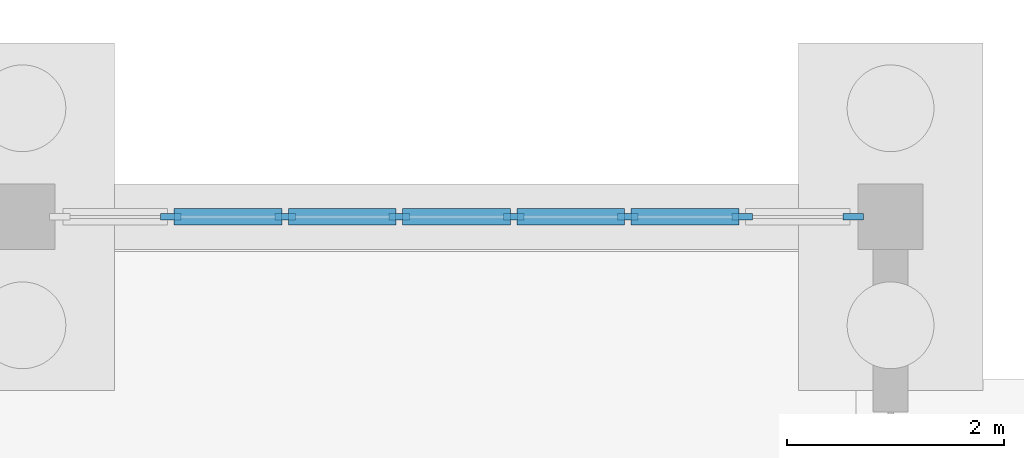
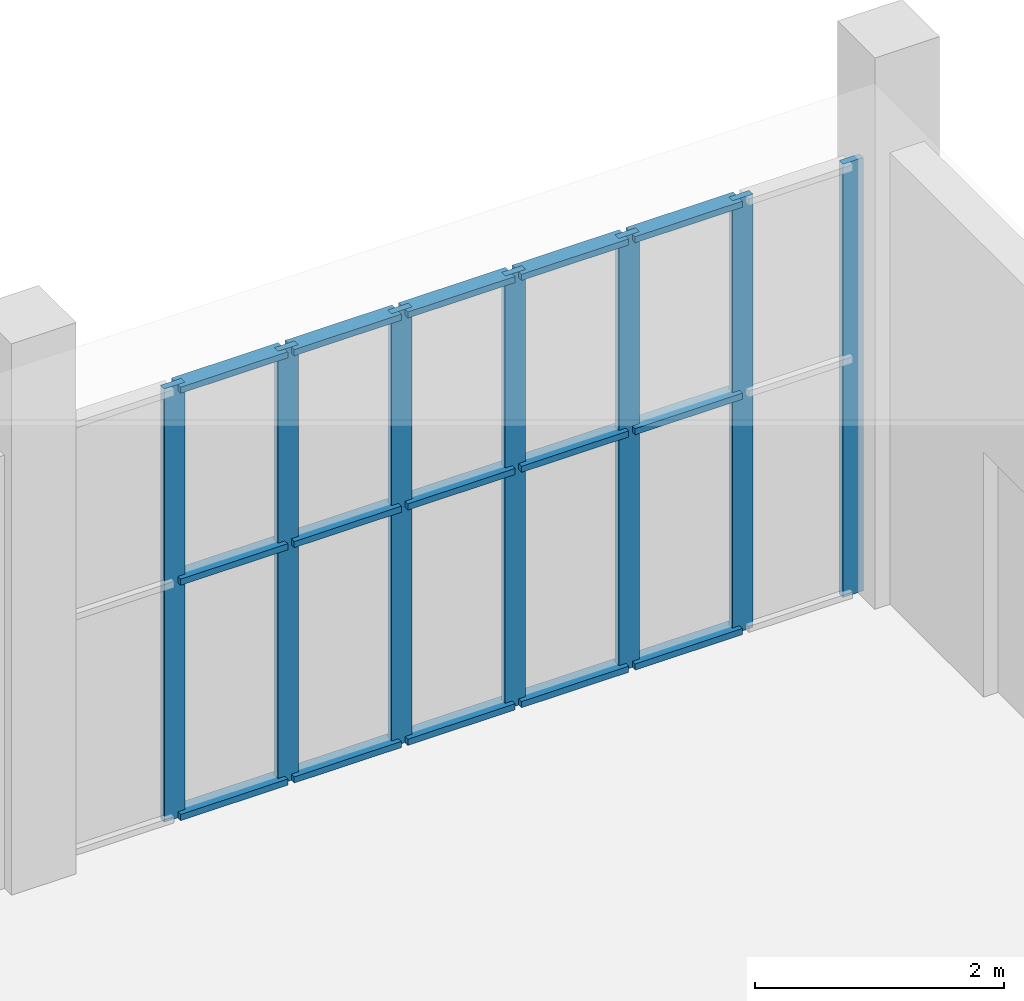
# One storey, part 20 of 69: 22 members, 1 element without a shape of its own.
"""IFC4 building model written with IfcOpenShell, lengths in metres."""

import ifcopenshell
import ifcopenshell.guid

model = None  # the IFC model being written
_history = None  # IfcOwnerHistory: only IFC2X3 demands one
_inside = {}  # id of a spatial element -> (the spatial element, [elements in it])
_under = {}  # id of a project, library or spatial element -> (it, [spatial elements below it])
_declared = {}  # id of a project -> (the project, [libraries it declares])
_typed = {}  # id of a type object -> (the type object, [elements of that type])
_made_of = {}  # id of a material, layer set ... -> (it, [elements and type objects made of it])


def new_model(schema):
    """Start an empty IFC model of exactly this schema.

    Asked for "IFC4X3", IfcOpenShell would pick the latest addendum, in which some entities
    have other attributes; the version numbers below select the first issue.
    IFC2X3 requires an IfcOwnerHistory on every rooted entity: one is made here for all.
    """
    global model, _history
    if schema == "IFC4X3":
        model = ifcopenshell.file(schema_version=(4, 3, 0, 0))
    else:
        model = ifcopenshell.file(schema=schema)
    _inside.clear()
    _under.clear()
    _declared.clear()
    _typed.clear()
    _made_of.clear()
    _history = None
    if model.schema == "IFC2X3":
        org = make("IfcOrganization", Name="unknown")
        user = make(
            "IfcPersonAndOrganization",
            ThePerson=make("IfcPerson", FamilyName="unknown"),
            TheOrganization=org,
        )
        app = make(
            "IfcApplication",
            ApplicationDeveloper=org,
            Version="unknown",
            ApplicationFullName="unknown",
            ApplicationIdentifier="unknown",
        )
        _history = make(
            "IfcOwnerHistory",
            OwningUser=user,
            OwningApplication=app,
            ChangeAction="ADDED",
            CreationDate=0,
        )
    return model


def make(cls, **values):
    """One entity of the class cls with the attributes given. An attribute that is None is left unset."""
    return model.create_entity(
        cls, **{name: value for name, value in values.items() if value is not None}
    )


def rooted(cls, **values):
    """An entity with a GlobalId (a new one), such as an element, a storey or a relation."""
    return make(cls, GlobalId=ifcopenshell.guid.new(), OwnerHistory=_history, **values)


def si_unit(unit_type, name, prefix=None):
    """IfcSIUnit, for example si_unit("LENGTHUNIT", "METRE", prefix="MILLI")."""
    return make("IfcSIUnit", UnitType=unit_type, Prefix=prefix, Name=name)


def assignment(units):
    """IfcUnitAssignment: the units of a project."""
    return None if units is None else make("IfcUnitAssignment", Units=units)


def point(xyz):
    """IfcCartesianPoint."""
    return None if xyz is None else make("IfcCartesianPoint", Coordinates=xyz)


def direction(xyz):
    """IfcDirection."""
    return None if xyz is None else make("IfcDirection", DirectionRatios=xyz)


def frame(location, z_axis=None, x_axis=None):
    """IfcAxis2Placement3D, a coordinate frame: its origin and axes. An axis left out is left unset."""
    return make(
        "IfcAxis2Placement3D",
        Location=point(location),
        Axis=direction(z_axis),
        RefDirection=direction(x_axis),
    )


def frame_2d(location, x_axis=None):
    """IfcAxis2Placement2D, a coordinate frame in the plane: its origin and x axis."""
    return make(
        "IfcAxis2Placement2D", Location=point(location), RefDirection=direction(x_axis)
    )


def origin():
    """The frame at (0, 0, 0) with its axes left unset."""
    return frame((0.0, 0.0, 0.0))


def origin_2d():
    """The frame at (0, 0) in the plane with its x axis left unset."""
    return frame_2d((0.0, 0.0))


def place(relative_to, where):
    """IfcLocalPlacement: puts the frame where relative to a parent placement (None: the world)."""
    return make(
        "IfcLocalPlacement", PlacementRelTo=relative_to, RelativePlacement=where
    )


def context(
    kind, dimensions, precision=None, world=None, true_north=None, identifier=None
):
    """IfcGeometricRepresentationContext, for example the 3D "Model" context."""
    return make(
        "IfcGeometricRepresentationContext",
        ContextIdentifier=identifier,
        ContextType=kind,
        CoordinateSpaceDimension=dimensions,
        Precision=precision,
        WorldCoordinateSystem=world,
        TrueNorth=true_north,
    )


def subcontext(parent, identifier, kind, view, scale=None):
    """IfcGeometricRepresentationSubContext, for example "Body" below "Model"."""
    return make(
        "IfcGeometricRepresentationSubContext",
        ContextIdentifier=identifier,
        ContextType=kind,
        ParentContext=parent,
        TargetScale=scale,
        TargetView=view,
    )


def project(units=None, contexts=None):
    """IfcProject with its units and contexts."""
    return rooted(
        "IfcProject",
        Name="project",
        RepresentationContexts=contexts,
        UnitsInContext=assignment(units),
    )


def spatial(cls, under=None, at=None, **own):
    """A site, building, storey or space (cls), placed at a placement, below another one or the project."""
    s = rooted(cls, ObjectPlacement=at, **own)
    if under is not None:
        _under.setdefault(under.id(), (under, []))[1].append(s)
    return s


def profile(cls, at=None, kind="AREA", **sizes):
    """A parametric profile (cls). Its sizes go by their IFC names, for example OverallWidth=200.0."""
    return make(cls, ProfileType=kind, Position=at, **sizes)


def rectangle(**sizes):
    """IfcRectangleProfileDef."""
    return profile("IfcRectangleProfileDef", **sizes)


def extrude(swept, where, along, depth):
    """IfcExtrudedAreaSolid: the profile swept, set in the frame where, extruded along a direction by depth."""
    return make(
        "IfcExtrudedAreaSolid",
        SweptArea=swept,
        Position=where,
        ExtrudedDirection=direction(along),
        Depth=depth,
    )


def shape(context_of_items, identifier, shape_type, items):
    """IfcShapeRepresentation: the items that make up one representation, for example the "Body"."""
    return make(
        "IfcShapeRepresentation",
        ContextOfItems=context_of_items,
        RepresentationIdentifier=identifier,
        RepresentationType=shape_type,
        Items=items,
    )


def material(Name=None, Category=None):
    """IfcMaterial."""
    return make("IfcMaterial", Name=Name, Category=Category)


def layer(
    of_material, thickness, ventilated=None, Name=None, Category=None, Priority=None
):
    """IfcMaterialLayer: one layer of a wall or slab, of a material (None: an air gap)."""
    return make(
        "IfcMaterialLayer",
        Material=of_material,
        LayerThickness=thickness,
        IsVentilated=ventilated,
        Name=Name,
        Category=Category,
        Priority=Priority,
    )


def layer_set(layers, Name=None):
    """IfcMaterialLayerSet."""
    return make("IfcMaterialLayerSet", MaterialLayers=layers, LayerSetName=Name)


def material_profile(
    of_material, cross_section, Name=None, Category=None, Priority=None
):
    """IfcMaterialProfile: a cross section and its material."""
    return make(
        "IfcMaterialProfile",
        Name=Name,
        Material=of_material,
        Profile=cross_section,
        Priority=Priority,
        Category=Category,
    )


def profile_set(profiles, Name=None, composite=None):
    """IfcMaterialProfileSet."""
    return make(
        "IfcMaterialProfileSet",
        Name=Name,
        MaterialProfiles=profiles,
        CompositeProfile=composite,
    )


def made_of(thing, what):
    """Note that an element or type object is made of a material, layer set ...; save() writes the relation."""
    if what is not None:
        _made_of.setdefault(what.id(), (what, []))[1].append(thing)
    return thing


def type_object(cls, material=None, **own):
    """A type object (cls), such as IfcWallType, which elements share."""
    return made_of(rooted(cls, **own), material)


def element(
    cls,
    number,
    at=None,
    inside=None,
    cuts=None,
    type_object=None,
    material=None,
    context=None,
    identifier="Body",
    shape_type=None,
    held_by="IfcProductDefinitionShape",
    body=None,
    shapes=None,
    **own,
):
    """One element of the class cls, such as IfcWall. Its Tag is "e" and its number.

    at: its placement. inside: the storey or other place that contains it. cuts: it is an
    opening in that element (IfcRelVoidsElement). A single representation is given by context,
    identifier, shape_type and body (its items); several are given by shapes. held_by: the class
    of the entity that holds the representations. save() writes the other relations.
    """
    e = rooted(cls, Tag="e%d" % number, ObjectPlacement=at, **own)
    if body is not None:
        shapes = [shape(context, identifier, shape_type, body)]
    if shapes is not None:
        e.Representation = make(held_by, Representations=shapes)
    if inside is not None:
        _inside.setdefault(inside.id(), (inside, []))[1].append(e)
    if cuts is not None:
        rooted(
            "IfcRelVoidsElement", RelatingBuildingElement=cuts, RelatedOpeningElement=e
        )
    if type_object is not None:
        _typed.setdefault(type_object.id(), (type_object, []))[1].append(e)
    return made_of(e, material)


def aggregate(whole, parts):
    """IfcRelAggregates: a whole, such as a stair, and the parts it consists of."""
    return rooted("IfcRelAggregates", RelatingObject=whole, RelatedObjects=parts)


def save(model, path):
    """Write the relations noted so far, then the file.

    IfcRelAggregates (storeys below a building ...), IfcRelContainedInSpatialStructure (elements
    in a storey), IfcRelDefinesByType, IfcRelAssociatesMaterial and IfcRelDeclares: one each for
    every whole, place, type object, material and project.
    """
    for whole, parts in _under.values():
        aggregate(whole, parts)
    for where, things in _inside.values():
        rooted(
            "IfcRelContainedInSpatialStructure",
            RelatedElements=things,
            RelatingStructure=where,
        )
    for kind, things in _typed.values():
        rooted("IfcRelDefinesByType", RelatedObjects=things, RelatingType=kind)
    for what, things in _made_of.values():
        rooted("IfcRelAssociatesMaterial", RelatedObjects=things, RelatingMaterial=what)
    for by, libraries in _declared.values():
        rooted("IfcRelDeclares", RelatingContext=by, RelatedDefinitions=libraries)
    model.write(path)


model = new_model("IFC4")

# Units and contexts
model_context = context("Model", 3, precision=1e-05, world=origin(), true_north=direction((0.0, 1.0)))
body_context = subcontext(model_context, "Body", "Model", "MODEL_VIEW")
ifc_project = project(units=[si_unit("LENGTHUNIT", "METRE"), si_unit("AREAUNIT", "SQUARE_METRE"), si_unit("VOLUMEUNIT", "CUBIC_METRE"), si_unit("PLANEANGLEUNIT", "RADIAN"), si_unit("MASSUNIT", "GRAM", prefix="KILO")], contexts=[model_context])

# Site, building, storey
site_placement = place(None, origin())
site = spatial("IfcSite", under=ifc_project, at=site_placement, CompositionType="ELEMENT")
building_placement = place(site_placement, origin())
building = spatial("IfcBuilding", under=site, at=building_placement, Name="Solvane Community Centre", CompositionType="ELEMENT")
storey_placement = place(building_placement, origin())
storey = spatial("IfcBuildingStorey", under=building, at=storey_placement, Name="L00", CompositionType="ELEMENT", Elevation=0.0)

# Curtain wall, members
ifc_material = material(Name="Anodised bronze aluminium AW-6063 T6", Category="aluminium")
ifc_layer = layer(ifc_material, 0.18994140625)
ifc_layer_set = layer_set([ifc_layer], Name="Anodised bronze aluminium AW-6063 T6")
curtain_wall_type = type_object("IfcCurtainWallType", Name="Boulevard Bronze Vision Curtain Wall [74x42dm]", PredefinedType="NOTDEFINED", material=ifc_layer_set)
curtain_wall_placement = place(storey_placement, origin())
curtain_wall = element("IfcCurtainWall", 1, at=curtain_wall_placement, inside=storey, type_object=curtain_wall_type, Name="Curtain Wall CW-L00-1323_600-030", PredefinedType="NOTDEFINED")
ifc_material_profile_1 = material_profile(ifc_material, rectangle(XDim=0.06005859375, YDim=0.18994140625, at=origin_2d()), Name="CW-M 60x190")
ifc_profile_set_1 = profile_set([ifc_material_profile_1], Name="Anodised bronze aluminium AW-6063 T6")
member_type_1 = type_object("IfcMemberType", Name="Boulevard Mullion 60x190", PredefinedType="MULLION", material=ifc_profile_set_1)
member_1_placement = place(storey_placement, frame((133.367919921875, 60.0, 0.0), z_axis=(0.0, 0.0, 1.0), x_axis=(0.0, 1.0, 0.0)))
member_1 = element("IfcMember", 2, at=member_1_placement, type_object=member_type_1, Name="CW02-74x42 mullion 2", PredefinedType="MULLION", context=body_context, shape_type="SweptSolid", body=[
    extrude(rectangle(XDim=0.06005859375, YDim=0.18994140625, at=origin_2d()), origin(), (0.0, 0.0, 1.0), 4.2451171875),
])
member_2_placement = place(storey_placement, frame((134.420654296875, 60.0, 0.0), z_axis=(0.0, 0.0, 1.0), x_axis=(0.0, 1.0, 0.0)))
member_2 = element("IfcMember", 3, at=member_2_placement, type_object=member_type_1, Name="CW02-74x42 mullion 3", PredefinedType="MULLION", context=body_context, shape_type="SweptSolid", body=[
    extrude(rectangle(XDim=0.06005859375, YDim=0.18994140625, at=origin_2d()), origin(), (0.0, 0.0, 1.0), 4.2451171875),
])
member_3_placement = place(storey_placement, frame((135.4736328125, 60.0, 0.0), z_axis=(0.0, 0.0, 1.0), x_axis=(0.0, 1.0, 0.0)))
member_3 = element("IfcMember", 4, at=member_3_placement, type_object=member_type_1, Name="CW02-74x42 mullion 4", PredefinedType="MULLION", context=body_context, shape_type="SweptSolid", body=[
    extrude(rectangle(XDim=0.06005859375, YDim=0.18994140625, at=origin_2d()), origin(), (0.0, 0.0, 1.0), 4.2451171875),
])
member_4_placement = place(storey_placement, frame((136.5263671875, 60.0, 0.0), z_axis=(0.0, 0.0, 1.0), x_axis=(0.0, 1.0, 0.0)))
member_4 = element("IfcMember", 5, at=member_4_placement, type_object=member_type_1, Name="CW02-74x42 mullion 5", PredefinedType="MULLION", context=body_context, shape_type="SweptSolid", body=[
    extrude(rectangle(XDim=0.06005859375, YDim=0.18994140625, at=origin_2d()), origin(), (0.0, 0.0, 1.0), 4.2451171875),
])
member_5_placement = place(storey_placement, frame((137.579345703125, 60.0, 0.0), z_axis=(0.0, 0.0, 1.0), x_axis=(0.0, 1.0, 0.0)))
member_5 = element("IfcMember", 6, at=member_5_placement, type_object=member_type_1, Name="CW02-74x42 mullion 6", PredefinedType="MULLION", context=body_context, shape_type="SweptSolid", body=[
    extrude(rectangle(XDim=0.06005859375, YDim=0.18994140625, at=origin_2d()), origin(), (0.0, 0.0, 1.0), 4.2451171875),
])
member_6_placement = place(storey_placement, frame((138.632080078125, 60.0, 0.0), z_axis=(0.0, 0.0, 1.0), x_axis=(0.0, 1.0, 0.0)))
member_6 = element("IfcMember", 7, at=member_6_placement, type_object=member_type_1, Name="CW02-74x42 mullion 7", PredefinedType="MULLION", context=body_context, shape_type="SweptSolid", body=[
    extrude(rectangle(XDim=0.06005859375, YDim=0.18994140625, at=origin_2d()), origin(), (0.0, 0.0, 1.0), 4.2451171875),
])
member_7_placement = place(storey_placement, frame((139.655029296875, 60.0, 0.0), z_axis=(0.0, 0.0, 1.0), x_axis=(0.0, 1.0, 0.0)))
member_7 = element("IfcMember", 8, at=member_7_placement, type_object=member_type_1, Name="CW02-74x42 mullion 8", PredefinedType="MULLION", context=body_context, shape_type="SweptSolid", body=[
    extrude(rectangle(XDim=0.06005859375, YDim=0.18994140625, at=origin_2d()), origin(), (0.0, 0.0, 1.0), 4.2451171875),
])
ifc_material_profile_2 = material_profile(ifc_material, rectangle(XDim=0.14990234375, YDim=0.06005859375, at=origin_2d()), Name="CW-T 60x150")
ifc_profile_set_2 = profile_set([ifc_material_profile_2], Name="Anodised bronze aluminium AW-6063 T6")
member_type_2 = type_object("IfcMemberType", Name="Boulevard Transom 60x150", PredefinedType="USERDEFINED", material=ifc_profile_set_2)
member_8_placement = place(storey_placement, frame((133.39794921875, 60.0, 0.030029296875), z_axis=(1.0, 0.0, 0.0), x_axis=(0.0, 1.0, 0.0)))
member_8 = element("IfcMember", 9, at=member_8_placement, type_object=member_type_2, Name="CW02-74x42 transom 2.1", ObjectType="TRANSOM", PredefinedType="USERDEFINED", context=body_context, shape_type="SweptSolid", body=[
    extrude(rectangle(XDim=0.14990234375, YDim=0.06005859375, at=origin_2d()), origin(), (0.0, 0.0, 1.0), 0.99267578125),
])
member_9_placement = place(storey_placement, frame((133.39794921875, 60.0, 2.3349609375), z_axis=(1.0, 0.0, 0.0), x_axis=(0.0, 1.0, 0.0)))
member_9 = element("IfcMember", 10, at=member_9_placement, type_object=member_type_2, Name="CW02-74x42 transom 2.2", ObjectType="TRANSOM", PredefinedType="USERDEFINED", context=body_context, shape_type="SweptSolid", body=[
    extrude(rectangle(XDim=0.14990234375, YDim=0.06005859375, at=origin_2d()), origin(), (0.0, 0.0, 1.0), 0.99267578125),
])
member_10_placement = place(storey_placement, frame((133.39794921875, 60.0, 4.215087890625), z_axis=(1.0, 0.0, 0.0), x_axis=(0.0, 1.0, 0.0)))
member_10 = element("IfcMember", 11, at=member_10_placement, type_object=member_type_2, Name="CW02-74x42 transom 2.3", ObjectType="TRANSOM", PredefinedType="USERDEFINED", context=body_context, shape_type="SweptSolid", body=[
    extrude(rectangle(XDim=0.14990234375, YDim=0.06005859375, at=origin_2d()), origin(), (0.0, 0.0, 1.0), 0.99267578125),
])
member_11_placement = place(storey_placement, frame((134.45068359375, 60.0, 0.030029296875), z_axis=(1.0, 0.0, 0.0), x_axis=(0.0, 1.0, 0.0)))
member_11 = element("IfcMember", 12, at=member_11_placement, type_object=member_type_2, Name="CW02-74x42 transom 3.1", ObjectType="TRANSOM", PredefinedType="USERDEFINED", context=body_context, shape_type="SweptSolid", body=[
    extrude(rectangle(XDim=0.14990234375, YDim=0.06005859375, at=origin_2d()), origin(), (0.0, 0.0, 1.0), 0.992919921875),
])
member_12_placement = place(storey_placement, frame((134.45068359375, 60.0, 2.3349609375), z_axis=(1.0, 0.0, 0.0), x_axis=(0.0, 1.0, 0.0)))
member_12 = element("IfcMember", 13, at=member_12_placement, type_object=member_type_2, Name="CW02-74x42 transom 3.2", ObjectType="TRANSOM", PredefinedType="USERDEFINED", context=body_context, shape_type="SweptSolid", body=[
    extrude(rectangle(XDim=0.14990234375, YDim=0.06005859375, at=origin_2d()), origin(), (0.0, 0.0, 1.0), 0.992919921875),
])
member_13_placement = place(storey_placement, frame((134.45068359375, 60.0, 4.215087890625), z_axis=(1.0, 0.0, 0.0), x_axis=(0.0, 1.0, 0.0)))
member_13 = element("IfcMember", 14, at=member_13_placement, type_object=member_type_2, Name="CW02-74x42 transom 3.3", ObjectType="TRANSOM", PredefinedType="USERDEFINED", context=body_context, shape_type="SweptSolid", body=[
    extrude(rectangle(XDim=0.14990234375, YDim=0.06005859375, at=origin_2d()), origin(), (0.0, 0.0, 1.0), 0.992919921875),
])
member_14_placement = place(storey_placement, frame((135.503662109375, 60.0, 0.030029296875), z_axis=(1.0, 0.0, 0.0), x_axis=(0.0, 1.0, 0.0)))
member_14 = element("IfcMember", 15, at=member_14_placement, type_object=member_type_2, Name="CW02-74x42 transom 4.1", ObjectType="TRANSOM", PredefinedType="USERDEFINED", context=body_context, shape_type="SweptSolid", body=[
    extrude(rectangle(XDim=0.14990234375, YDim=0.06005859375, at=origin_2d()), origin(), (0.0, 0.0, 1.0), 0.99267578125),
])
member_15_placement = place(storey_placement, frame((135.503662109375, 60.0, 2.3349609375), z_axis=(1.0, 0.0, 0.0), x_axis=(0.0, 1.0, 0.0)))
member_15 = element("IfcMember", 16, at=member_15_placement, type_object=member_type_2, Name="CW02-74x42 transom 4.2", ObjectType="TRANSOM", PredefinedType="USERDEFINED", context=body_context, shape_type="SweptSolid", body=[
    extrude(rectangle(XDim=0.14990234375, YDim=0.06005859375, at=origin_2d()), origin(), (0.0, 0.0, 1.0), 0.99267578125),
])
member_16_placement = place(storey_placement, frame((135.503662109375, 60.0, 4.215087890625), z_axis=(1.0, 0.0, 0.0), x_axis=(0.0, 1.0, 0.0)))
member_16 = element("IfcMember", 17, at=member_16_placement, type_object=member_type_2, Name="CW02-74x42 transom 4.3", ObjectType="TRANSOM", PredefinedType="USERDEFINED", context=body_context, shape_type="SweptSolid", body=[
    extrude(rectangle(XDim=0.14990234375, YDim=0.06005859375, at=origin_2d()), origin(), (0.0, 0.0, 1.0), 0.99267578125),
])
member_17_placement = place(storey_placement, frame((136.556396484375, 60.0, 0.030029296875), z_axis=(1.0, 0.0, 0.0), x_axis=(0.0, 1.0, 0.0)))
member_17 = element("IfcMember", 18, at=member_17_placement, type_object=member_type_2, Name="CW02-74x42 transom 5.1", ObjectType="TRANSOM", PredefinedType="USERDEFINED", context=body_context, shape_type="SweptSolid", body=[
    extrude(rectangle(XDim=0.14990234375, YDim=0.06005859375, at=origin_2d()), origin(), (0.0, 0.0, 1.0), 0.992919921875),
])
member_18_placement = place(storey_placement, frame((136.556396484375, 60.0, 2.3349609375), z_axis=(1.0, 0.0, 0.0), x_axis=(0.0, 1.0, 0.0)))
member_18 = element("IfcMember", 19, at=member_18_placement, type_object=member_type_2, Name="CW02-74x42 transom 5.2", ObjectType="TRANSOM", PredefinedType="USERDEFINED", context=body_context, shape_type="SweptSolid", body=[
    extrude(rectangle(XDim=0.14990234375, YDim=0.06005859375, at=origin_2d()), origin(), (0.0, 0.0, 1.0), 0.992919921875),
])
member_19_placement = place(storey_placement, frame((136.556396484375, 60.0, 4.215087890625), z_axis=(1.0, 0.0, 0.0), x_axis=(0.0, 1.0, 0.0)))
member_19 = element("IfcMember", 20, at=member_19_placement, type_object=member_type_2, Name="CW02-74x42 transom 5.3", ObjectType="TRANSOM", PredefinedType="USERDEFINED", context=body_context, shape_type="SweptSolid", body=[
    extrude(rectangle(XDim=0.14990234375, YDim=0.06005859375, at=origin_2d()), origin(), (0.0, 0.0, 1.0), 0.992919921875),
])
member_20_placement = place(storey_placement, frame((137.609375, 60.0, 0.030029296875), z_axis=(1.0, 0.0, 0.0), x_axis=(0.0, 1.0, 0.0)))
member_20 = element("IfcMember", 21, at=member_20_placement, type_object=member_type_2, Name="CW02-74x42 transom 6.1", ObjectType="TRANSOM", PredefinedType="USERDEFINED", context=body_context, shape_type="SweptSolid", body=[
    extrude(rectangle(XDim=0.14990234375, YDim=0.06005859375, at=origin_2d()), origin(), (0.0, 0.0, 1.0), 0.99267578125),
])
member_21_placement = place(storey_placement, frame((137.609375, 60.0, 2.3349609375), z_axis=(1.0, 0.0, 0.0), x_axis=(0.0, 1.0, 0.0)))
member_21 = element("IfcMember", 22, at=member_21_placement, type_object=member_type_2, Name="CW02-74x42 transom 6.2", ObjectType="TRANSOM", PredefinedType="USERDEFINED", context=body_context, shape_type="SweptSolid", body=[
    extrude(rectangle(XDim=0.14990234375, YDim=0.06005859375, at=origin_2d()), origin(), (0.0, 0.0, 1.0), 0.99267578125),
])
member_22_placement = place(storey_placement, frame((137.609375, 60.0, 4.215087890625), z_axis=(1.0, 0.0, 0.0), x_axis=(0.0, 1.0, 0.0)))
member_22 = element("IfcMember", 23, at=member_22_placement, type_object=member_type_2, Name="CW02-74x42 transom 6.3", ObjectType="TRANSOM", PredefinedType="USERDEFINED", context=body_context, shape_type="SweptSolid", body=[
    extrude(rectangle(XDim=0.14990234375, YDim=0.06005859375, at=origin_2d()), origin(), (0.0, 0.0, 1.0), 0.99267578125),
])
aggregate(curtain_wall, [member_1, member_2, member_3, member_4, member_5, member_6, member_7, member_8, member_9, member_10, member_11, member_12, member_13, member_14, member_15, member_16, member_17, member_18, member_19, member_20, member_21, member_22])

save(model, "model.ifc")
